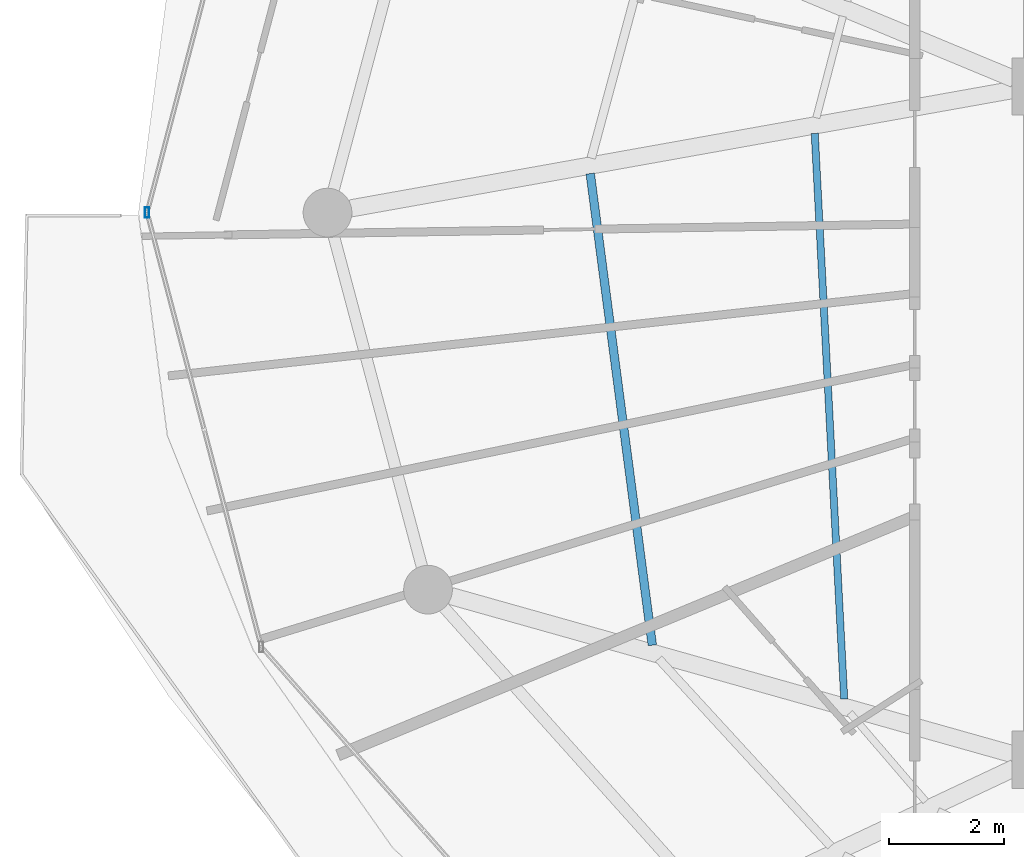
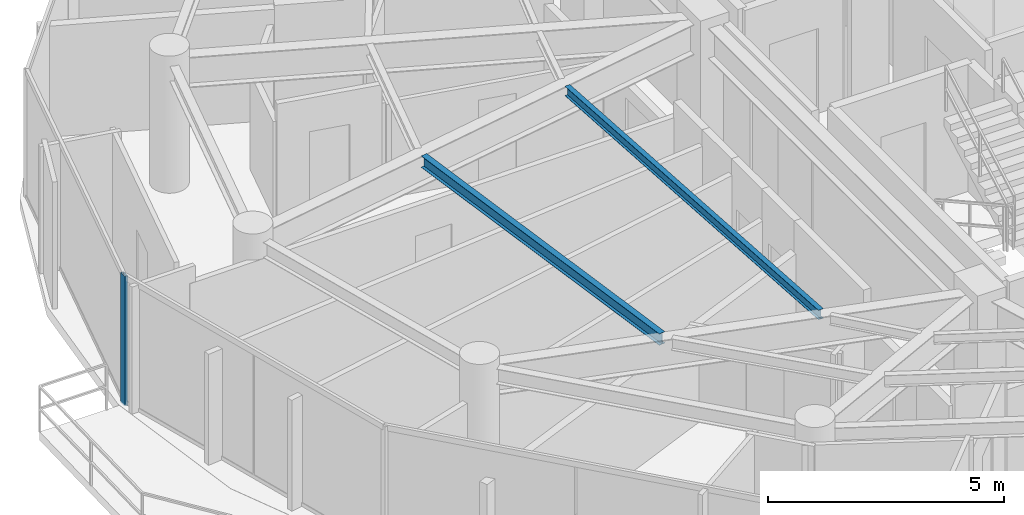
# One storey, part 7 of 31: 2 beams, 1 member, 1 element without a shape of its own.
"""IFC4 building model written with IfcOpenShell, lengths in metres."""

from ifc_helpers import new_model, si_unit, direction, frame, origin, origin_2d, place, context, subcontext, project, spatial, hollow_rectangle, i_section, extrude, material, material_profile, profile_set, type_object, element, aggregate, save


model = new_model("IFC4")

# Units and contexts
model_context = context("Model", 3, precision=1e-05, world=origin(), true_north=direction((0.0, 1.0)))
body_context = subcontext(model_context, "Body", "Model", "MODEL_VIEW")
ifc_project = project(units=[si_unit("LENGTHUNIT", "METRE"), si_unit("AREAUNIT", "SQUARE_METRE"), si_unit("VOLUMEUNIT", "CUBIC_METRE"), si_unit("PLANEANGLEUNIT", "RADIAN"), si_unit("MASSUNIT", "GRAM", prefix="KILO")], contexts=[model_context])

# Site, building, storey
site_placement = place(None, origin())
site = spatial("IfcSite", under=ifc_project, at=site_placement, CompositionType="ELEMENT")
building_placement = place(site_placement, origin())
building = spatial("IfcBuilding", under=site, at=building_placement, Name="Vorneva Point Tower", CompositionType="ELEMENT")
storey_placement = place(building_placement, frame((0.0, 0.0, 244.89990234375)))
storey = spatial("IfcBuildingStorey", under=building, at=storey_placement, Name="L66", CompositionType="ELEMENT", Elevation=244.89990234375)

# Beams
ifc_material_1 = material(Name="Steel S355", Category="steel")
ifc_material_profile_1 = material_profile(ifc_material_1, i_section(OverallWidth=0.1240234375, OverallDepth=0.248046875, WebThickness=0.0048828125, FlangeThickness=0.008056640625, at=origin_2d()), Name="25B1")
ifc_profile_set_1 = profile_set([ifc_material_profile_1], Name="Steel S355")
beam_type_1 = type_object("IfcBeamType", Name="BM-JST-25B1", PredefinedType="JOIST", material=ifc_profile_set_1)
beam_1_placement = place(storey_placement, frame((23.454833984375, 27.382080078125, 3.166015625), z_axis=(0.052055932544, -0.998644170807, 0.0), x_axis=(0.998644170807, 0.052055932544, 0.0)))
element("IfcBeam", 1, at=beam_1_placement, inside=storey, type_object=beam_type_1, Name="L66 Secondary Floor Beam 2.09", PredefinedType="JOIST", context=body_context, shape_type="SweptSolid", body=[
    extrude(i_section(OverallWidth=0.1240234375, OverallDepth=0.248046875, WebThickness=0.0048828125, FlangeThickness=0.008056640625, at=origin_2d()), origin(), (0.0, 0.0, 1.0), 9.886474609375),
])
ifc_material_profile_2 = material_profile(ifc_material_1, i_section(OverallWidth=0.14892578125, OverallDepth=0.298095703125, WebThickness=0.005615234375, FlangeThickness=0.008056640625, at=origin_2d()), Name="30B1")
ifc_profile_set_2 = profile_set([ifc_material_profile_2], Name="Steel S355")
beam_type_2 = type_object("IfcBeamType", Name="BM-JST-30B1", PredefinedType="JOIST", material=ifc_profile_set_2)
beam_2_placement = place(storey_placement, frame((19.53564453125, 26.68017578125, 3.14111328125), z_axis=(0.13054578094, -0.991442282273, 0.0), x_axis=(0.991442282273, 0.13054578094, 0.0)))
element("IfcBeam", 2, at=beam_2_placement, inside=storey, type_object=beam_type_2, Name="L66 Secondary Floor Beam 1.09", PredefinedType="JOIST", context=body_context, shape_type="SweptSolid", body=[
    extrude(i_section(OverallWidth=0.14892578125, OverallDepth=0.298095703125, WebThickness=0.005615234375, FlangeThickness=0.008056640625, at=origin_2d()), origin(), (0.0, 0.0, 1.0), 8.303466796875),
])

# Curtain wall, member
ifc_material_2 = material(Name="Pale anodised aluminium", Category="aluminium")
curtain_wall_type = type_object("IfcCurtainWallType", Name="CW-RES-SYS", PredefinedType="NOTDEFINED", material=ifc_material_2)
curtain_wall_placement = place(storey_placement, origin())
curtain_wall = element("IfcCurtainWall", 3, at=curtain_wall_placement, inside=storey, type_object=curtain_wall_type, Name="L66 Unitised Curtain Wall CW-L66-R03", PredefinedType="NOTDEFINED")
ifc_material_profile_3 = material_profile(ifc_material_2, hollow_rectangle(XDim=0.074951171875, YDim=0.179931640625, WallThickness=0.00390625, at=origin_2d()), Name="AL-MUL 180x75x4")
ifc_profile_set_3 = profile_set([ifc_material_profile_3], Name="Pale anodised aluminium")
member_type = type_object("IfcMemberType", Name="CW-MUL-180", PredefinedType="MULLION", material=ifc_profile_set_3)
member_placement = place(storey_placement, frame((11.800048828125, 26.0, -0.039794921875), z_axis=(0.0, 0.0, 1.0), x_axis=(1.0, 0.0, 0.0)))
member = element("IfcMember", 4, at=member_placement, type_object=member_type, Name="CW-L66-R03 Mullion 03", PredefinedType="MULLION", context=body_context, shape_type="SweptSolid", body=[
    extrude(hollow_rectangle(XDim=0.074951171875, YDim=0.179931640625, WallThickness=0.00390625, at=origin_2d()), origin(), (0.0, 0.0, 1.0), 3.35986328125),
])
aggregate(curtain_wall, [member])

save(model, "model.ifc")
